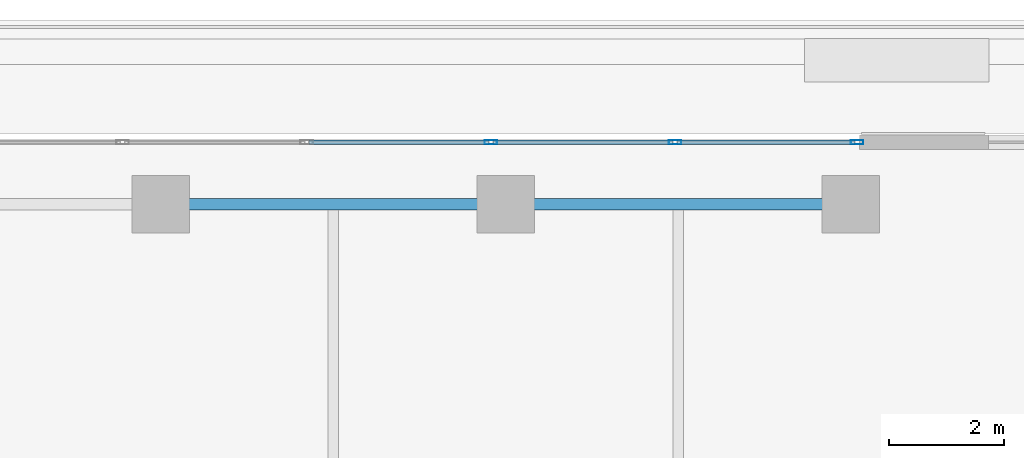
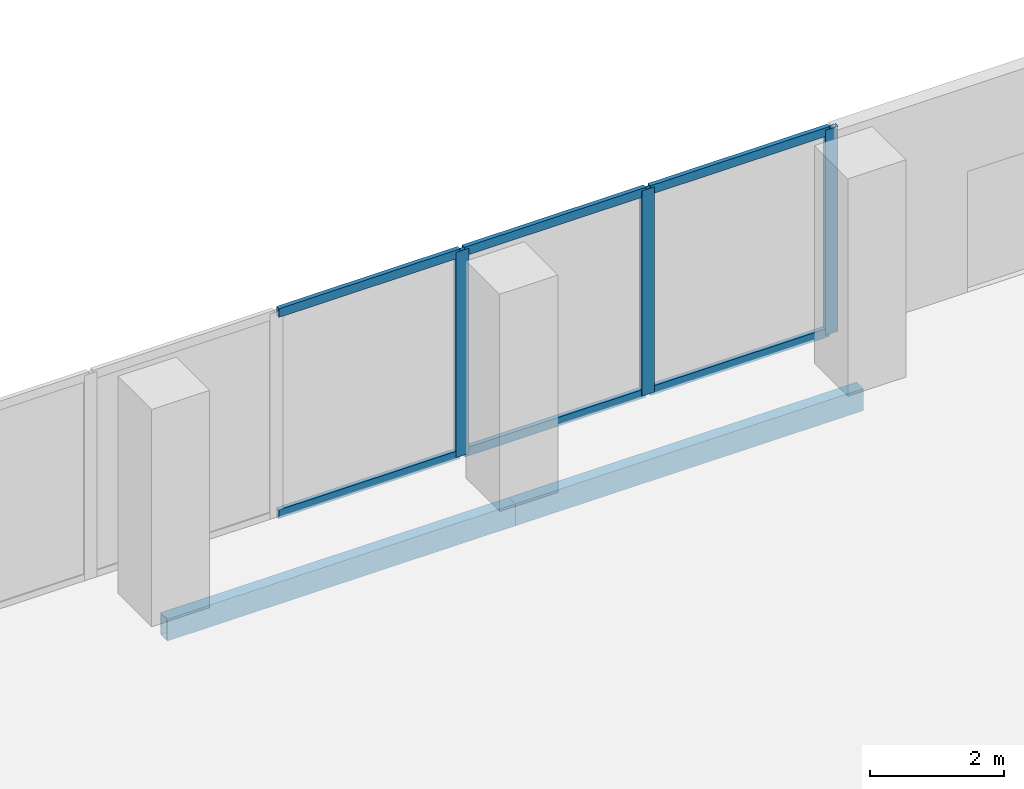
# One storey, part 25 of 38: 9 members, 2 beams, 1 element without a shape of its own.
"""IFC4 building model written with IfcOpenShell, lengths in metres."""

from ifc_helpers import new_model, si_unit, direction, frame, origin, origin_2d, place, context, subcontext, project, spatial, hollow_rectangle, extrude, material, layer, layer_set, material_profile, profile_set, type_object, element, aggregate, save


model = new_model("IFC4")

# Units and contexts
model_context = context("Model", 3, precision=1e-05, world=origin(), true_north=direction((0.0, 1.0)))
body_context = subcontext(model_context, "Body", "Model", "MODEL_VIEW")
ifc_project = project(units=[si_unit("LENGTHUNIT", "METRE"), si_unit("AREAUNIT", "SQUARE_METRE"), si_unit("VOLUMEUNIT", "CUBIC_METRE"), si_unit("PLANEANGLEUNIT", "RADIAN"), si_unit("MASSUNIT", "GRAM", prefix="KILO")], contexts=[model_context])

# Site, building, storey
site_placement = place(None, origin())
site = spatial("IfcSite", under=ifc_project, at=site_placement, CompositionType="ELEMENT")
building_placement = place(site_placement, origin())
building = spatial("IfcBuilding", under=site, at=building_placement, Name="Tanjung Sevakor Pilgrim Tower", CompositionType="ELEMENT")
storey_placement = place(building_placement, frame((0.0, 0.0, 78.2099609375)))
storey = spatial("IfcBuildingStorey", under=building, at=storey_placement, Name="L21", CompositionType="ELEMENT", Elevation=78.2099609375)

# Beams
ifc_material_1 = material(Name="Steel S355J2", Category="steel")
ifc_material_profile_1 = material_profile(ifc_material_1, hollow_rectangle(XDim=0.199951171875, YDim=0.39990234375, WallThickness=0.01611328125, at=origin_2d()))
ifc_profile_set_1 = profile_set([ifc_material_profile_1], Name="Steel S355J2")
beam_type = type_object("IfcBeamType", Name="BM-B-SP2-RHS_400x200x16", PredefinedType="SPANDREL", material=ifc_profile_set_1)
for number, where, z_axis, x_axis, name in (
    (1, (78.0, 56.39990234375, -0.47998046875), (1.0, 0.0, 0.0), (0.0, 1.0, 0.0), "L21 Spandrel MAIN N-16"),
    (2, (84.0, 56.39990234375, -0.47998046875), (1.0, 0.0, 0.0), (0.0, 1.0, 0.0), "L21 Spandrel MAIN N-18"),
):
    element("IfcBeam", number, at=place(storey_placement, frame(where, z_axis=z_axis, x_axis=x_axis)), inside=storey, type_object=beam_type, Name=name, PredefinedType="SPANDREL", context=body_context, shape_type="SweptSolid", body=[
        extrude(hollow_rectangle(XDim=0.199951171875, YDim=0.39990234375, WallThickness=0.01611328125, at=origin_2d()), origin(), (0.0, 0.0, 1.0), 6.0),
    ])

# Curtain wall, members
ifc_material_2 = material(Name="Aluminium 6063-T6 and Low-E Glass", Category="aluminium")
ifc_layer = layer(ifc_material_2, 0.199951171875)
ifc_layer_set = layer_set([ifc_layer], Name="CW-SYS-SKY")
curtain_wall_type = type_object("IfcCurtainWallType", Name="CW-SYS-SKY", PredefinedType="NOTDEFINED", material=ifc_layer_set)
curtain_wall_placement = place(storey_placement, origin())
curtain_wall = element("IfcCurtainWall", 3, at=curtain_wall_placement, inside=storey, type_object=curtain_wall_type, Name="L21 Curtain Wall CW-SKY-L21-N", PredefinedType="NOTDEFINED")
ifc_material_3 = material(Name="Aluminium 6063-T6", Category="aluminium")
ifc_material_profile_2 = material_profile(ifc_material_3, hollow_rectangle(XDim=0.074951171875, YDim=0.219970703125, WallThickness=0.0048828125, at=origin_2d()))
ifc_profile_set_2 = profile_set([ifc_material_profile_2], Name="Aluminium 6063-T6")
member_type_1 = type_object("IfcMemberType", Name="TYPE-CWM-2", PredefinedType="MULLION", material=ifc_profile_set_2)
member_1_placement = place(storey_placement, frame((90.110595703125, 57.47509765625, 0.0), z_axis=(0.0, 0.0, 1.0), x_axis=(0.0, -1.0, 0.0)))
member_1 = element("IfcMember", 4, at=member_1_placement, type_object=member_type_1, Name="CW-SKY mullion 1", PredefinedType="MULLION", context=body_context, shape_type="SweptSolid", body=[
    extrude(hollow_rectangle(XDim=0.074951171875, YDim=0.219970703125, WallThickness=0.0048828125, at=origin_2d()), origin(), (0.0, 0.0, 1.0), 3.739990234375),
])
member_2_placement = place(storey_placement, frame((86.94580078125, 57.47509765625, 0.0), z_axis=(0.0, 0.0, 1.0), x_axis=(0.0, -1.0, 0.0)))
member_2 = element("IfcMember", 5, at=member_2_placement, type_object=member_type_1, Name="CW-SKY mullion 2", PredefinedType="MULLION", context=body_context, shape_type="SweptSolid", body=[
    extrude(hollow_rectangle(XDim=0.074951171875, YDim=0.219970703125, WallThickness=0.0048828125, at=origin_2d()), origin(), (0.0, 0.0, 1.0), 3.739990234375),
])
member_3_placement = place(storey_placement, frame((83.74365234375, 57.47509765625, 0.0), z_axis=(0.0, 0.0, 1.0), x_axis=(0.0, -1.0, 0.0)))
member_3 = element("IfcMember", 6, at=member_3_placement, type_object=member_type_1, Name="CW-SKY mullion 3", PredefinedType="MULLION", context=body_context, shape_type="SweptSolid", body=[
    extrude(hollow_rectangle(XDim=0.074951171875, YDim=0.219970703125, WallThickness=0.0048828125, at=origin_2d()), origin(), (0.0, 0.0, 1.0), 3.739990234375),
])
ifc_material_4 = material(Name="Aluminium 6063-T6", Category="aluminium")
ifc_material_profile_3 = material_profile(ifc_material_4, hollow_rectangle(XDim=0.074951171875, YDim=0.159912109375, WallThickness=0.00439453125, at=origin_2d()))
ifc_profile_set_3 = profile_set([ifc_material_profile_3], Name="Aluminium 6063-T6")
member_type_2 = type_object("IfcMemberType", Name="TYPE-CWT-2", PredefinedType="USERDEFINED", material=ifc_profile_set_3)
member_4_placement = place(storey_placement, frame((90.0732421875, 57.47509765625, 0.03759765625), z_axis=(-1.0, 0.0, 0.0), x_axis=(0.0, -1.0, 0.0)))
member_4 = element("IfcMember", 7, at=member_4_placement, type_object=member_type_2, Name="CW-SKY transom 1.1", ObjectType="TRANSOM", PredefinedType="USERDEFINED", context=body_context, shape_type="SweptSolid", body=[
    extrude(hollow_rectangle(XDim=0.074951171875, YDim=0.159912109375, WallThickness=0.00439453125, at=origin_2d()), origin(), (0.0, 0.0, 1.0), 3.08984375),
])
member_5_placement = place(storey_placement, frame((90.0732421875, 57.47509765625, 3.70263671875), z_axis=(-1.0, 0.0, 0.0), x_axis=(0.0, -1.0, 0.0)))
member_5 = element("IfcMember", 8, at=member_5_placement, type_object=member_type_2, Name="CW-SKY transom 1.2", ObjectType="TRANSOM", PredefinedType="USERDEFINED", context=body_context, shape_type="SweptSolid", body=[
    extrude(hollow_rectangle(XDim=0.074951171875, YDim=0.159912109375, WallThickness=0.00439453125, at=origin_2d()), origin(), (0.0, 0.0, 1.0), 3.08984375),
])
member_6_placement = place(storey_placement, frame((86.908447265625, 57.47509765625, 0.03759765625), z_axis=(-1.0, 0.0, 0.0), x_axis=(0.0, -1.0, 0.0)))
member_6 = element("IfcMember", 9, at=member_6_placement, type_object=member_type_2, Name="CW-SKY transom 2.1", ObjectType="TRANSOM", PredefinedType="USERDEFINED", context=body_context, shape_type="SweptSolid", body=[
    extrude(hollow_rectangle(XDim=0.074951171875, YDim=0.159912109375, WallThickness=0.00439453125, at=origin_2d()), origin(), (0.0, 0.0, 1.0), 3.12744140625),
])
member_7_placement = place(storey_placement, frame((86.908447265625, 57.47509765625, 3.70263671875), z_axis=(-1.0, 0.0, 0.0), x_axis=(0.0, -1.0, 0.0)))
member_7 = element("IfcMember", 10, at=member_7_placement, type_object=member_type_2, Name="CW-SKY transom 2.2", ObjectType="TRANSOM", PredefinedType="USERDEFINED", context=body_context, shape_type="SweptSolid", body=[
    extrude(hollow_rectangle(XDim=0.074951171875, YDim=0.159912109375, WallThickness=0.00439453125, at=origin_2d()), origin(), (0.0, 0.0, 1.0), 3.12744140625),
])
member_8_placement = place(storey_placement, frame((83.7060546875, 57.47509765625, 0.03759765625), z_axis=(-1.0, 0.0, 0.0), x_axis=(0.0, -1.0, 0.0)))
member_8 = element("IfcMember", 11, at=member_8_placement, type_object=member_type_2, Name="CW-SKY transom 3.1", ObjectType="TRANSOM", PredefinedType="USERDEFINED", context=body_context, shape_type="SweptSolid", body=[
    extrude(hollow_rectangle(XDim=0.074951171875, YDim=0.159912109375, WallThickness=0.00439453125, at=origin_2d()), origin(), (0.0, 0.0, 1.0), 3.127197265625),
])
member_9_placement = place(storey_placement, frame((83.7060546875, 57.47509765625, 3.70263671875), z_axis=(-1.0, 0.0, 0.0), x_axis=(0.0, -1.0, 0.0)))
member_9 = element("IfcMember", 12, at=member_9_placement, type_object=member_type_2, Name="CW-SKY transom 3.2", ObjectType="TRANSOM", PredefinedType="USERDEFINED", context=body_context, shape_type="SweptSolid", body=[
    extrude(hollow_rectangle(XDim=0.074951171875, YDim=0.159912109375, WallThickness=0.00439453125, at=origin_2d()), origin(), (0.0, 0.0, 1.0), 3.127197265625),
])
aggregate(curtain_wall, [member_1, member_2, member_3, member_4, member_5, member_6, member_7, member_8, member_9])

save(model, "model.ifc")
